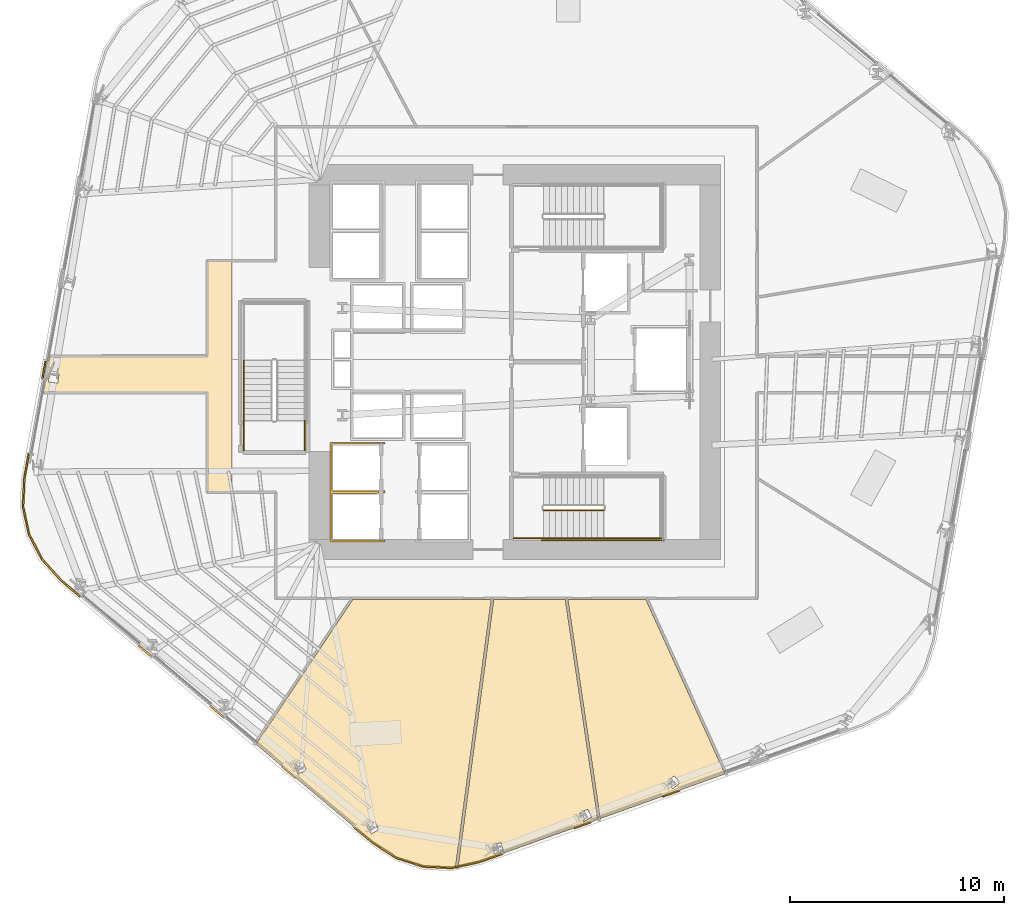
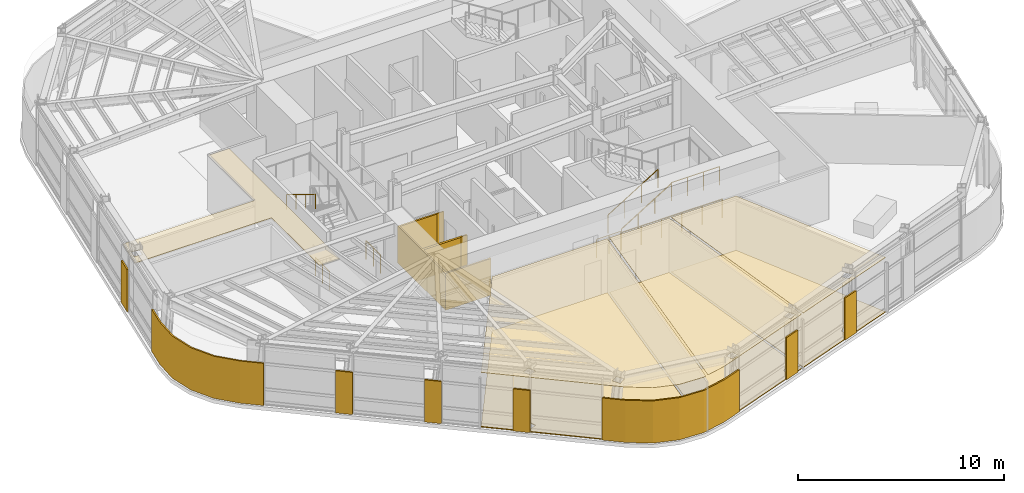
# One storey, part 11 of 18: 16 coverings, 8 railings.
"""IFC4 building model written with IfcOpenShell, lengths in metres."""

from ifc_helpers import new_model, si_unit, direction, frame, origin, origin_2d, place, context, subcontext, project, spatial, polyline, circle, outline, extrude, material, layer, layer_set, type_object, element, save


model = new_model("IFC4")

# Units and contexts
model_context = context("Model", 3, precision=1e-05, world=origin(), true_north=direction((0.0, 1.0)))
body_context = subcontext(model_context, "Body", "Model", "MODEL_VIEW")
ifc_project = project(units=[si_unit("LENGTHUNIT", "METRE"), si_unit("AREAUNIT", "SQUARE_METRE"), si_unit("VOLUMEUNIT", "CUBIC_METRE"), si_unit("PLANEANGLEUNIT", "RADIAN"), si_unit("MASSUNIT", "GRAM", prefix="KILO")], contexts=[model_context])

# Site, building, storey
site_placement = place(None, origin())
site = spatial("IfcSite", under=ifc_project, at=site_placement, CompositionType="ELEMENT")
building_placement = place(site_placement, origin())
building = spatial("IfcBuilding", under=site, at=building_placement, Name="Valkerne Bourse Tower", CompositionType="ELEMENT")
storey_placement = place(building_placement, frame((0.0, 0.0, 108.60009765625)))
storey = spatial("IfcBuildingStorey", under=building, at=storey_placement, Name="L27", CompositionType="ELEMENT", Elevation=108.60009765625)

# Coverings
ifc_material_1 = material(Name="Mineral Fiber Acoustic Ceiling Tile", Category="acoustic")
ifc_layer_1 = layer(ifc_material_1, 0.02490234375)
ifc_layer_set_1 = layer_set([ifc_layer_1], Name="Mineral Fiber Acoustic Ceiling Tile")
covering_type_1 = type_object("IfcCoveringType", Name="COV-CEIL-ACT", PredefinedType="CEILING", material=ifc_layer_set_1)
covering_1_placement = place(storey_placement, frame((0.0, 0.0, 3.22998046875)))
element("IfcCovering", 1, at=covering_1_placement, inside=storey, type_object=covering_type_1, Name="L27 Suspended Ceiling 03", PredefinedType="CEILING", context=body_context, shape_type="SweptSolid", body=[
    extrude(outline(polyline([(52.92333984375, 15.781005859375), (56.61279296875, 7.6474609375), (50.78759765625, 5.564208984375), (49.27880859375, 15.781005859375), (52.92333984375, 15.781005859375)]), holes=[polyline([(54.5087890625, 7.236572265625), (54.2412109375, 7.555908203125), (54.23828125, 7.554931640625), (53.908935546875, 7.27734375), (54.176513671875, 6.9580078125), (54.179443359375, 6.958984375), (54.5087890625, 7.236572265625)])]), origin(), (0.0, 0.0, 1.0), 0.02490234375),
])
covering_2_placement = place(storey_placement, frame((0.0, 0.0, 3.22998046875)))
element("IfcCovering", 2, at=covering_2_placement, inside=storey, type_object=covering_type_1, Name="L27 Suspended Ceiling 04", PredefinedType="CEILING", context=body_context, shape_type="SweptSolid", body=[
    extrude(outline(polyline([(45.81591796875, 15.781005859375), (49.159423828125, 15.781005859375), (50.67431640625, 5.5234375), (45.157958984375, 3.55078125), (44.15478515625, 3.33203125), (45.81591796875, 15.781005859375)]), holes=[polyline([(46.27099609375, 4.043212890625), (46.146484375, 4.44091796875), (46.14306640625, 4.44091796875), (45.732666015625, 4.31103515625), (45.857421875, 3.91357421875), (45.860595703125, 3.913330078125), (46.27099609375, 4.043212890625)]), polyline([(50.39501953125, 5.635986328125), (50.19775390625, 6.003173828125), (50.194580078125, 6.002685546875), (49.81591796875, 5.798095703125), (50.012939453125, 5.430908203125), (50.01611328125, 5.431396484375), (50.39501953125, 5.635986328125)])]), origin(), (0.0, 0.0, 1.0), 0.02490234375),
])
covering_3_placement = place(storey_placement, frame((0.0, 0.0, 3.22998046875)))
element("IfcCovering", 3, at=covering_3_placement, inside=storey, type_object=covering_type_1, Name="L27 Suspended Ceiling 06", PredefinedType="CEILING", context=body_context, shape_type="SweptSolid", body=[
    extrude(outline(polyline([(41.283935546875, 3.73095703125), (40.165283203125, 4.44921875), (34.718994140625, 9.03173828125), (39.232666015625, 15.781005859375), (45.69677734375, 15.781005859375), (44.0322265625, 3.305419921875), (43.859130859375, 3.267578125), (42.541015625, 3.32958984375), (41.283935546875, 3.73095703125)]), holes=[polyline([(36.906494140625, 8.205810546875), (36.90380859375, 8.207275390625), (36.517578125, 8.0517578125), (36.677001953125, 7.651123046875), (36.679931640625, 7.649658203125), (37.06591796875, 7.804931640625), (36.906494140625, 8.205810546875)]), polyline([(40.23779296875, 5.4384765625), (40.23486328125, 5.439453125), (39.884765625, 5.21435546875), (40.116455078125, 4.850830078125), (40.11962890625, 4.849853515625), (40.469482421875, 5.074951171875), (40.23779296875, 5.4384765625)])]), origin(), (0.0, 0.0, 1.0), 0.02490234375),
])
ifc_material_2 = material(Name="Bronze Anodised Aluminium AA 6063-T6", Category="aluminium")
ifc_layer_2 = layer(ifc_material_2, 0.030029296875)
ifc_layer_set_2 = layer_set([ifc_layer_2], Name="Bronze Anodised Aluminium AA 6063-T6")
covering_type_2 = type_object("IfcCoveringType", Name="COV-CEIL-METAL", PredefinedType="CEILING", material=ifc_layer_set_2)
covering_4_placement = place(storey_placement, frame((0.0, 0.0, 3.22998046875)))
element("IfcCovering", 4, at=covering_4_placement, inside=storey, type_object=covering_type_2, Name="L27 Suspended Ceiling 02", PredefinedType="CEILING", context=body_context, shape_type="SweptSolid", body=[
    extrude(outline(polyline([(32.4541015625, 20.803955078125), (32.4541015625, 25.4541015625), (24.77978515625, 25.4541015625), (25.087890625, 27.14599609375), (32.4541015625, 27.14599609375), (32.4541015625, 31.595947265625), (33.60009765625, 31.595947265625), (33.60009765625, 20.803955078125), (32.4541015625, 20.803955078125)]), holes=[polyline([(25.523193359375, 26.307861328125), (25.09521484375, 26.369384765625), (25.035888671875, 25.958251953125), (25.035888671875, 25.955078125), (25.463623046875, 25.893798828125), (25.523193359375, 26.3046875), (25.523193359375, 26.307861328125)])]), origin(), (0.0, 0.0, 1.0), 0.02490234375),
])
ifc_layer_3 = layer(ifc_material_2, 0.06005859375)
ifc_layer_set_3 = layer_set([ifc_layer_3], Name="Bronze Anodised Aluminium AA 6063-T6")
covering_type_3 = type_object("IfcCoveringType", Name="COV-CRN-ALUM", PredefinedType="CLADDING", material=ifc_layer_set_3)
covering_5_placement = place(storey_placement, origin())
element("IfcCovering", 5, at=covering_5_placement, inside=storey, type_object=covering_type_3, Name="L27 Wind-Shaped Corner Aluminium Cladding 03", PredefinedType="CLADDING", context=body_context, shape_type="SweptSolid", body=[
    extrude(outline(polyline([(53.71142578125, 6.56298828125), (53.684326171875, 6.63818359375), (54.47509765625, 6.921142578125), (54.502197265625, 6.845703125), (53.71142578125, 6.56298828125)])), origin(), (0.0, 0.0, 1.0), 2.5),
])
covering_6_placement = place(storey_placement, origin())
element("IfcCovering", 6, at=covering_6_placement, inside=storey, type_object=covering_type_3, Name="L27 Wind-Shaped Corner Aluminium Cladding 04", PredefinedType="CLADDING", context=body_context, shape_type="SweptSolid", body=[
    extrude(outline(polyline([(49.584228515625, 5.087158203125), (49.55712890625, 5.162353515625), (50.34814453125, 5.4453125), (50.375244140625, 5.369873046875), (49.584228515625, 5.087158203125)])), origin(), (0.0, 0.0, 1.0), 2.5),
])
covering_7_placement = place(storey_placement, origin())
element("IfcCovering", 7, at=covering_7_placement, inside=storey, type_object=covering_type_3, Name="L27 Wind-Shaped Corner Aluminium Cladding 05", PredefinedType="CLADDING", context=body_context, shape_type="SweptSolid", body=[
    extrude(outline(polyline([(45.169921875, 3.50830078125), (43.86279296875, 3.223388671875), (42.533203125, 3.2861328125), (41.264892578125, 3.69091796875), (40.13916015625, 4.41357421875), (39.26318359375, 5.15087890625), (39.314697265625, 5.2119140625), (40.186767578125, 4.47802734375), (41.29931640625, 3.763916015625), (42.547607421875, 3.365478515625), (43.856201171875, 3.3037109375), (45.14794921875, 3.58544921875), (46.22119140625, 3.96923828125), (46.248291015625, 3.89404296875), (45.169921875, 3.50830078125)])), origin(), (0.0, 0.0, 1.0), 2.5),
])
covering_8_placement = place(storey_placement, origin())
element("IfcCovering", 8, at=covering_8_placement, inside=storey, type_object=covering_type_3, Name="L27 Wind-Shaped Corner Aluminium Cladding 06", PredefinedType="CLADDING", context=body_context, shape_type="SweptSolid", body=[
    extrude(outline(polyline([(35.909423828125, 7.97265625), (35.9609375, 8.03369140625), (36.603759765625, 7.492919921875), (36.552001953125, 7.431884765625), (35.909423828125, 7.97265625)])), origin(), (0.0, 0.0, 1.0), 2.5),
])
covering_9_placement = place(storey_placement, origin())
element("IfcCovering", 9, at=covering_9_placement, inside=storey, type_object=covering_type_3, Name="L27 Wind-Shaped Corner Aluminium Cladding 07", PredefinedType="CLADDING", context=body_context, shape_type="SweptSolid", body=[
    extrude(outline(polyline([(32.5556640625, 10.794677734375), (32.607177734375, 10.855712890625), (33.25, 10.31494140625), (33.1982421875, 10.25390625), (32.5556640625, 10.794677734375)])), origin(), (0.0, 0.0, 1.0), 2.5),
])
covering_10_placement = place(storey_placement, origin())
element("IfcCovering", 10, at=covering_10_placement, inside=storey, type_object=covering_type_3, Name="L27 Wind-Shaped Corner Aluminium Cladding 08", PredefinedType="CLADDING", context=body_context, shape_type="SweptSolid", body=[
    extrude(outline(polyline([(29.201904296875, 13.616455078125), (29.25341796875, 13.677490234375), (29.896240234375, 13.136962890625), (29.844482421875, 13.07568359375), (29.201904296875, 13.616455078125)])), origin(), (0.0, 0.0, 1.0), 2.5),
])
covering_11_placement = place(storey_placement, origin())
element("IfcCovering", 11, at=covering_11_placement, inside=storey, type_object=covering_type_3, Name="L27 Wind-Shaped Corner Aluminium Cladding 09", PredefinedType="CLADDING", context=body_context, shape_type="SweptSolid", body=[
    extrude(outline(polyline([(25.5966796875, 16.650146484375), (24.6962890625, 17.6396484375), (24.085693359375, 18.822509765625), (23.80224609375, 20.122802734375), (23.865234375, 21.458984375), (24.07470703125, 22.60888671875), (24.1533203125, 22.5947265625), (23.94482421875, 21.449951171875), (23.882568359375, 20.129638671875), (24.16162109375, 18.849609375), (24.7626953125, 17.685546875), (25.652099609375, 16.7080078125), (26.54248046875, 15.958740234375), (26.49072265625, 15.897705078125), (25.5966796875, 16.650146484375)])), origin(), (0.0, 0.0, 1.0), 2.5),
])
covering_12_placement = place(storey_placement, origin())
element("IfcCovering", 12, at=covering_12_placement, inside=storey, type_object=covering_type_3, Name="L27 Wind-Shaped Corner Aluminium Cladding 10", PredefinedType="CLADDING", context=body_context, shape_type="SweptSolid", body=[
    extrude(outline(polyline([(24.860107421875, 26.9208984375), (24.938720703125, 26.906982421875), (24.788330078125, 26.08056640625), (24.70947265625, 26.094482421875), (24.860107421875, 26.9208984375)])), origin(), (0.0, 0.0, 1.0), 2.5),
])
ifc_material_3 = material(Name="Galvanised Painted Steel", Category="steel")
ifc_layer_4 = layer(ifc_material_3, 0.044921875)
ifc_layer_set_4 = layer_set([ifc_layer_4], Name="Galvanised Painted Steel")
covering_type_4 = type_object("IfcCoveringType", Name="COV-FLR-RAF", PredefinedType="FLOORING", material=ifc_layer_set_4)
covering_13_placement = place(storey_placement, origin())
element("IfcCovering", 13, at=covering_13_placement, inside=storey, type_object=covering_type_4, Name="L27 Floor Finish 06", PredefinedType="FLOORING", context=body_context, shape_type="SweptSolid", body=[
    extrude(outline(polyline([(41.283935546875, 3.73095703125), (40.165283203125, 4.44921875), (34.718994140625, 9.03173828125), (39.232666015625, 15.781005859375), (45.69677734375, 15.781005859375), (44.0322265625, 3.305419921875), (43.859130859375, 3.267578125), (42.541015625, 3.32958984375), (41.283935546875, 3.73095703125)]), holes=[polyline([(36.906494140625, 8.205810546875), (36.90380859375, 8.207275390625), (36.517578125, 8.0517578125), (36.677001953125, 7.651123046875), (36.679931640625, 7.649658203125), (37.06591796875, 7.804931640625), (36.906494140625, 8.205810546875)]), polyline([(40.23779296875, 5.4384765625), (40.23486328125, 5.439453125), (39.884765625, 5.21435546875), (40.116455078125, 4.850830078125), (40.11962890625, 4.849853515625), (40.469482421875, 5.074951171875), (40.23779296875, 5.4384765625)])]), origin(), (0.0, 0.0, 1.0), 0.044921875),
])
ifc_material_4 = material(Name="Polished Granite Stone", Category="masonry")
ifc_layer_5 = layer(ifc_material_4, 0.030029296875)
ifc_layer_set_5 = layer_set([ifc_layer_5], Name="Polished Granite Stone")
covering_type_5 = type_object("IfcCoveringType", Name="COV-FLR-TERRAZZO", PredefinedType="FLOORING", material=ifc_layer_set_5)
covering_14_placement = place(storey_placement, origin())
element("IfcCovering", 14, at=covering_14_placement, inside=storey, type_object=covering_type_5, Name="L27 Floor Finish 03", PredefinedType="FLOORING", context=body_context, shape_type="SweptSolid", body=[
    extrude(outline(polyline([(52.92333984375, 15.781005859375), (56.61279296875, 7.6474609375), (50.78759765625, 5.564208984375), (49.27880859375, 15.781005859375), (52.92333984375, 15.781005859375)]), holes=[polyline([(54.5087890625, 7.236572265625), (54.2412109375, 7.555908203125), (54.23828125, 7.554931640625), (53.908935546875, 7.27734375), (54.176513671875, 6.9580078125), (54.179443359375, 6.958984375), (54.5087890625, 7.236572265625)])]), origin(), (0.0, 0.0, 1.0), 0.02978515625),
])
covering_15_placement = place(storey_placement, origin())
element("IfcCovering", 15, at=covering_15_placement, inside=storey, type_object=covering_type_5, Name="L27 Floor Finish 04", PredefinedType="FLOORING", context=body_context, shape_type="SweptSolid", body=[
    extrude(outline(polyline([(45.81591796875, 15.781005859375), (49.159423828125, 15.781005859375), (50.67431640625, 5.5234375), (45.157958984375, 3.55078125), (44.15478515625, 3.33203125), (45.81591796875, 15.781005859375)]), holes=[polyline([(46.27099609375, 4.043212890625), (46.146484375, 4.44091796875), (46.14306640625, 4.44091796875), (45.732666015625, 4.31103515625), (45.857421875, 3.91357421875), (45.860595703125, 3.913330078125), (46.27099609375, 4.043212890625)]), polyline([(50.39501953125, 5.635986328125), (50.19775390625, 6.003173828125), (50.194580078125, 6.002685546875), (49.81591796875, 5.798095703125), (50.012939453125, 5.430908203125), (50.01611328125, 5.431396484375), (50.39501953125, 5.635986328125)])]), origin(), (0.0, 0.0, 1.0), 0.02978515625),
])
ifc_material_5 = material(Name="Gypsum Shaftwall Liner Board", Category="gypsum")
ifc_layer_6 = layer(ifc_material_5, 0.080078125)
ifc_layer_set_6 = layer_set([ifc_layer_6], Name="Gypsum Shaftwall Liner Board")
covering_type_6 = type_object("IfcCoveringType", Name="COV-SHF-CLAD", PredefinedType="CLADDING", material=ifc_layer_set_6)
covering_16_placement = place(storey_placement, origin())
element("IfcCovering", 16, at=covering_16_placement, inside=storey, type_object=covering_type_6, Name="L27 Hoistway & Riser Shaftwall Liner 01", PredefinedType="CLADDING", context=body_context, shape_type="SweptSolid", body=[
    extrude(outline(polyline([(38.169921875, 23.1298828125), (40.72998046875, 23.1298828125), (40.72998046875, 23.052001953125), (40.72216796875, 23.0556640625), (40.6806640625, 23.070556640625), (40.6376953125, 23.081298828125), (40.593994140625, 23.087890625), (40.550048828125, 23.090087890625), (40.505859375, 23.087890625), (40.462158203125, 23.081298828125), (40.41943359375, 23.070556640625), (40.377685546875, 23.0556640625), (40.344482421875, 23.0400390625), (38.260009765625, 23.0400390625), (38.260009765625, 20.860107421875), (40.456787109375, 20.860107421875), (40.462158203125, 20.858642578125), (40.505859375, 20.852294921875), (40.550048828125, 20.85009765625), (40.593994140625, 20.852294921875), (40.6376953125, 20.858642578125), (40.6806640625, 20.869384765625), (40.72216796875, 20.88427734375), (40.72998046875, 20.887939453125), (40.72998046875, 20.830078125), (40.72998046875, 20.77001953125), (40.72998046875, 20.752197265625), (40.72216796875, 20.755615234375), (40.6806640625, 20.7705078125), (40.6376953125, 20.781494140625), (40.593994140625, 20.787841796875), (40.550048828125, 20.7900390625), (40.505859375, 20.787841796875), (40.462158203125, 20.781494140625), (40.41943359375, 20.7705078125), (40.377685546875, 20.755615234375), (40.344482421875, 20.739990234375), (38.260009765625, 20.739990234375), (38.260009765625, 18.56005859375), (40.456787109375, 18.56005859375), (40.462158203125, 18.55859375), (40.505859375, 18.55224609375), (40.550048828125, 18.550048828125), (40.593994140625, 18.55224609375), (40.6376953125, 18.55859375), (40.6806640625, 18.5693359375), (40.72216796875, 18.584228515625), (40.72998046875, 18.587890625), (40.72998046875, 18.469970703125), (38.169921875, 18.469970703125), (38.169921875, 20.77001953125), (38.169921875, 20.830078125), (38.169921875, 23.1298828125)])), origin(), (0.0, 0.0, 1.0), 2.179931640625),
])

# Railings
railing_type_1 = type_object("IfcRailingType", Name="RLG-ST-GUARD-1120", PredefinedType="GUARDRAIL", material=ifc_material_3)
railing_1_placement = place(storey_placement, frame((48.14990234375, 19.949951171875, 0.172607421875)))
element("IfcRailing", 17, at=railing_1_placement, inside=storey, type_object=railing_type_1, Name="L27 ST-1 stair guard 1", PredefinedType="GUARDRAIL", context=body_context, shape_type="SweptSolid", body=[
    extrude(circle(Radius=0.02392578125, at=origin_2d()), frame((0.0, 0.0, 1.09619140625), z_axis=(0.851089632645, 0.0, 0.525020415988), x_axis=(0.0, 1.0, 0.0)), (0.0, 0.0, 1.0), 3.2900390625),
    extrude(circle(Radius=0.02099609375, at=origin_2d()), origin(), (0.0, 0.0, 1.0), 1.072021484375),
    extrude(circle(Radius=0.02099609375, at=origin_2d()), frame((0.933349609375, 0.0, 0.57568359375)), (0.0, 0.0, 1.0), 1.072021484375),
    extrude(circle(Radius=0.02099609375, at=origin_2d()), frame((1.86669921875, 0.0, 1.151611328125)), (0.0, 0.0, 1.0), 1.072021484375),
    extrude(circle(Radius=0.02099609375, at=origin_2d()), frame((2.800048828125, 0.0, 1.727294921875)), (0.0, 0.0, 1.0), 1.072021484375),
])
railing_2_placement = place(storey_placement, frame((50.949951171875, 18.64990234375, 1.89990234375)))
element("IfcRailing", 18, at=railing_2_placement, inside=storey, type_object=railing_type_1, Name="L27 ST-1 stair guard 3", PredefinedType="GUARDRAIL", context=body_context, shape_type="SweptSolid", body=[
    extrude(circle(Radius=0.02392578125, at=origin_2d()), frame((0.0, 0.0, 1.09619140625), z_axis=(1.0, 0.0, 0.0), x_axis=(0.0, 1.0, 0.0)), (0.0, 0.0, 1.0), 2.699951171875),
    extrude(circle(Radius=0.02099609375, at=origin_2d()), origin(), (0.0, 0.0, 1.0), 1.072021484375),
    extrude(circle(Radius=0.02099609375, at=origin_2d()), frame((0.89990234375, 0.0, 0.0)), (0.0, 0.0, 1.0), 1.072021484375),
    extrude(circle(Radius=0.02099609375, at=origin_2d()), frame((1.800048828125, 0.0, 0.0)), (0.0, 0.0, 1.0), 1.072021484375),
    extrude(circle(Radius=0.02099609375, at=origin_2d()), frame((2.699951171875, 0.0, 0.0)), (0.0, 0.0, 1.0), 1.072021484375),
])
railing_3_placement = place(storey_placement, frame((46.75, 18.64990234375, 0.0)))
element("IfcRailing", 19, at=railing_3_placement, inside=storey, type_object=railing_type_1, Name="L27 ST-1 stair guard 8", PredefinedType="GUARDRAIL", context=body_context, shape_type="SweptSolid", body=[
    extrude(circle(Radius=0.02392578125, at=origin_2d()), frame((0.0, 0.0, 1.09619140625), z_axis=(1.0, 0.0, 0.0), x_axis=(0.0, 1.0, 0.0)), (0.0, 0.0, 1.0), 1.39990234375),
    extrude(circle(Radius=0.02099609375, at=origin_2d()), origin(), (0.0, 0.0, 1.0), 1.072021484375),
    extrude(circle(Radius=0.02099609375, at=origin_2d()), frame((0.699951171875, 0.0, 0.0)), (0.0, 0.0, 1.0), 1.072021484375),
    extrude(circle(Radius=0.02099609375, at=origin_2d()), frame((1.39990234375, 0.0, 0.0)), (0.0, 0.0, 1.0), 1.072021484375),
])
railing_4_placement = place(storey_placement, frame((48.050048828125, 18.550048828125, 0.0)))
element("IfcRailing", 20, at=railing_4_placement, inside=storey, type_object=railing_type_1, Name="L27 ST-1 stair guard 10", PredefinedType="GUARDRAIL", context=body_context, shape_type="SweptSolid", body=[
    extrude(circle(Radius=0.02392578125, at=origin_2d()), frame((0.0, 0.0, 1.09619140625), z_axis=(1.0, 0.0, 0.0), x_axis=(0.0, 1.0, 0.0)), (0.0, 0.0, 1.0), 5.699951171875),
    extrude(circle(Radius=0.02099609375, at=origin_2d()), origin(), (0.0, 0.0, 1.0), 1.072021484375),
    extrude(circle(Radius=0.02099609375, at=origin_2d()), frame((1.139892578125, 0.0, 0.0)), (0.0, 0.0, 1.0), 1.072021484375),
    extrude(circle(Radius=0.02099609375, at=origin_2d()), frame((2.280029296875, 0.0, 0.0)), (0.0, 0.0, 1.0), 1.072021484375),
    extrude(circle(Radius=0.02099609375, at=origin_2d()), frame((3.419921875, 0.0, 0.0)), (0.0, 0.0, 1.0), 1.072021484375),
    extrude(circle(Radius=0.02099609375, at=origin_2d()), frame((4.56005859375, 0.0, 0.0)), (0.0, 0.0, 1.0), 1.072021484375),
    extrude(circle(Radius=0.02099609375, at=origin_2d()), frame((5.699951171875, 0.0, 0.0)), (0.0, 0.0, 1.0), 1.072021484375),
])
for number, where, name in (
    (21, (37.0, 22.75, 0.0), "L27 ST-3 stair guard 8"),
    (22, (34.14990234375, 22.75, 0.0), "L27 ST-3 stair guard 9"),
):
    element("IfcRailing", number, at=place(storey_placement, frame(where)), inside=storey, type_object=railing_type_1, Name=name, PredefinedType="GUARDRAIL", context=body_context, shape_type="SweptSolid", body=[
        extrude(circle(Radius=0.02392578125, at=origin_2d()), frame((0.0, 0.0, 1.09619140625), z_axis=(0.0, 1.0, 0.0), x_axis=(-1.0, 0.0, 0.0)), (0.0, 0.0, 1.0), 1.39990234375),
        extrude(circle(Radius=0.02099609375, at=origin_2d()), origin(), (0.0, 0.0, 1.0), 1.072021484375),
        extrude(circle(Radius=0.02099609375, at=origin_2d()), frame((0.0, 0.699951171875, 0.0)), (0.0, 0.0, 1.0), 1.072021484375),
        extrude(circle(Radius=0.02099609375, at=origin_2d()), frame((0.0, 1.39990234375, 0.0)), (0.0, 0.0, 1.0), 1.072021484375),
    ])
ifc_material_6 = material(Name="Stainless Steel AISI 316", Category="steel")
railing_type_2 = type_object("IfcRailingType", Name="RLG-ST-HANDRAIL-900", PredefinedType="HANDRAIL", material=ifc_material_6)
railing_5_placement = place(storey_placement, frame((48.14990234375, 18.64990234375, 0.345458984375)))
element("IfcRailing", 23, at=railing_5_placement, inside=storey, type_object=railing_type_2, Name="L27 ST-1 stair handrail 1", PredefinedType="HANDRAIL", context=body_context, shape_type="SweptSolid", body=[
    extrude(circle(Radius=0.02392578125, at=origin_2d()), frame((0.0, 0.0, 0.8759765625), z_axis=(0.851122791225, 0.0, 0.524966660138), x_axis=(0.0, 1.0, 0.0)), (0.0, 0.0, 1.0), 3.289794921875),
    extrude(circle(Radius=0.02099609375, at=origin_2d()), origin(), (0.0, 0.0, 1.0), 0.851806640625),
    extrude(circle(Radius=0.02099609375, at=origin_2d()), frame((0.933349609375, 0.0, 0.57568359375)), (0.0, 0.0, 1.0), 0.851806640625),
    extrude(circle(Radius=0.02099609375, at=origin_2d()), frame((1.86669921875, 0.0, 1.1513671875)), (0.0, 0.0, 1.0), 0.851806640625),
    extrude(circle(Radius=0.02099609375, at=origin_2d()), frame((2.800048828125, 0.0, 1.72705078125)), (0.0, 0.0, 1.0), 0.851806640625),
])
railing_6_placement = place(storey_placement, frame((34.14990234375, 26.949951171875, 2.245361328125)))
element("IfcRailing", 24, at=railing_6_placement, inside=storey, type_object=railing_type_2, Name="L27 ST-3 stair handrail 2", PredefinedType="HANDRAIL", context=body_context, shape_type="SweptSolid", body=[
    extrude(circle(Radius=0.02392578125, at=origin_2d()), frame((0.0, 0.0, 0.8759765625), z_axis=(0.0, -0.851089632645, 0.525020415988), x_axis=(1.0, 0.0, 0.0)), (0.0, 0.0, 1.0), 3.2900390625),
    extrude(circle(Radius=0.02099609375, at=origin_2d()), origin(), (0.0, 0.0, 1.0), 0.851806640625),
    extrude(circle(Radius=0.02099609375, at=origin_2d()), frame((0.0, -0.933349609375, 0.57568359375)), (0.0, 0.0, 1.0), 0.851806640625),
    extrude(circle(Radius=0.02099609375, at=origin_2d()), frame((0.0, -1.86669921875, 1.151611328125)), (0.0, 0.0, 1.0), 0.851806640625),
    extrude(circle(Radius=0.02099609375, at=origin_2d()), frame((0.0, -2.800048828125, 1.727294921875)), (0.0, 0.0, 1.0), 0.851806640625),
])

save(model, "model.ifc")
